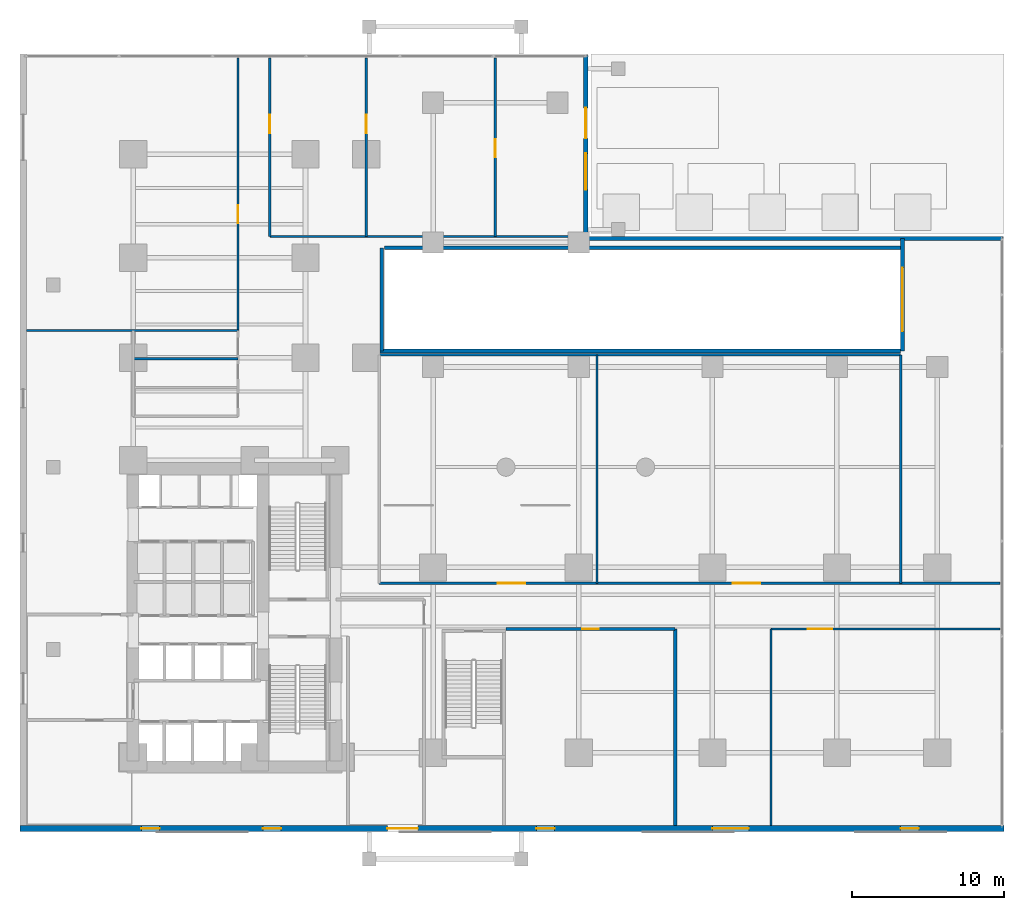
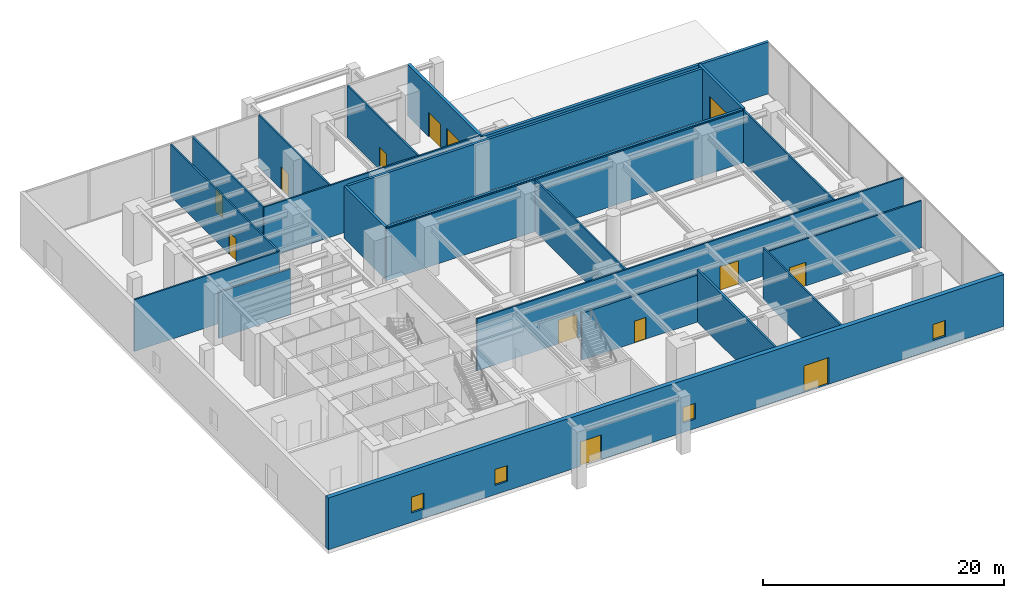
# One storey, part 13 of 17: 22 walls, 13 doors, 4 windows, 17 openings.
"""IFC4 building model written with IfcOpenShell, lengths in metres."""

from ifc_helpers import new_model, si_unit, direction, frame, frame_2d, origin, place, context, subcontext, project, spatial, rectangle, extrude, material, layer, layer_set, type_object, element, fill, save


model = new_model("IFC4")

# Units and contexts
model_context = context("Model", 3, precision=1e-05, world=origin(), true_north=direction((0.0, 1.0)))
body_context = subcontext(model_context, "Body", "Model", "MODEL_VIEW")
ifc_project = project(units=[si_unit("LENGTHUNIT", "METRE"), si_unit("AREAUNIT", "SQUARE_METRE"), si_unit("VOLUMEUNIT", "CUBIC_METRE"), si_unit("PLANEANGLEUNIT", "RADIAN"), si_unit("MASSUNIT", "GRAM", prefix="KILO")], contexts=[model_context])

# Site, building, storey
site_placement = place(None, origin())
site = spatial("IfcSite", under=ifc_project, at=site_placement, CompositionType="ELEMENT")
building_placement = place(site_placement, origin())
building = spatial("IfcBuilding", under=site, at=building_placement, Name="Kolvaren Waterfront Exchange", CompositionType="ELEMENT")
storey_placement = place(building_placement, origin())
storey = spatial("IfcBuildingStorey", under=building, at=storey_placement, Name="L01", CompositionType="ELEMENT", Elevation=0.0)

# Wall, openings, doors, windows
ifc_material_1 = material(Name="Precast concrete C40/50", Category="concrete")
ifc_layer_1 = layer(ifc_material_1, 0.419921875, Name="Precast concrete C40/50")
ifc_layer_set_1 = layer_set([ifc_layer_1], Name="Precast concrete C40/50")
wall_type_1 = type_object("IfcWallType", Name="ARC-EXT-GRANITE-420", PredefinedType="SOLIDWALL", material=ifc_layer_set_1)
wall_1_placement = place(storey_placement, frame((0.0, 0.2099609375, 0.0), z_axis=(0.0, 0.0, 1.0), x_axis=(1.0, 0.0, 0.0)))
wall_1 = element("IfcWall", 1, at=wall_1_placement, inside=storey, type_object=wall_type_1, Name="L01 south granite precast facade wall", PredefinedType="SOLIDWALL", context=body_context, shape_type="SweptSolid", body=[
    extrude(rectangle(XDim=64.800048828125, YDim=0.419921875, at=frame_2d((32.39990234375, 0.0))), origin(), (0.0, 0.0, 1.0), 5.260009765625),
])
opening_1_placement = place(wall_1_placement, frame((8.0, 0.0, 0.949951171875)))
opening_1 = element("IfcOpeningElement", 2, at=opening_1_placement, cuts=wall_1, Name="Opening W01", PredefinedType="OPENING", context=body_context, shape_type="SweptSolid", body=[
    extrude(rectangle(XDim=1.199951171875, YDim=1.60009765625, at=frame_2d((0.60009765625, 0.800048828125))), frame((0.0, 0.219970703125, 0.0), z_axis=(0.0, -1.0, 0.0), x_axis=(1.0, 0.0, 0.0)), (0.0, 0.0, 1.0), 0.43994140625),
])
opening_2_placement = place(wall_1_placement, frame((16.0, 0.0, 0.949951171875)))
opening_2 = element("IfcOpeningElement", 3, at=opening_2_placement, cuts=wall_1, Name="Opening W01", PredefinedType="OPENING", context=body_context, shape_type="SweptSolid", body=[
    extrude(rectangle(XDim=1.199951171875, YDim=1.60009765625, at=frame_2d((0.60009765625, 0.800048828125))), frame((0.0, 0.219970703125, 0.0), z_axis=(0.0, -1.0, 0.0), x_axis=(1.0, 0.0, 0.0)), (0.0, 0.0, 1.0), 0.43994140625),
])
opening_3_placement = place(wall_1_placement, frame((34.0, 0.0, 0.949951171875)))
opening_3 = element("IfcOpeningElement", 4, at=opening_3_placement, cuts=wall_1, Name="Opening W01", PredefinedType="OPENING", context=body_context, shape_type="SweptSolid", body=[
    extrude(rectangle(XDim=1.199951171875, YDim=1.60009765625, at=frame_2d((0.60009765625, 0.800048828125))), frame((0.0, 0.219970703125, 0.0), z_axis=(0.0, -1.0, 0.0), x_axis=(1.0, 0.0, 0.0)), (0.0, 0.0, 1.0), 0.43994140625),
])
opening_4_placement = place(wall_1_placement, frame((58.0, 0.0, 0.949951171875)))
opening_4 = element("IfcOpeningElement", 5, at=opening_4_placement, cuts=wall_1, Name="Opening W01", PredefinedType="OPENING", context=body_context, shape_type="SweptSolid", body=[
    extrude(rectangle(XDim=1.199951171875, YDim=1.60009765625, at=frame_2d((0.60009765625, 0.800048828125))), frame((0.0, 0.219970703125, 0.0), z_axis=(0.0, -1.0, 0.0), x_axis=(1.0, 0.0, 0.0)), (0.0, 0.0, 1.0), 0.43994140625),
])
opening_5_placement = place(wall_1_placement, frame((24.199951171875, 0.0, 0.0)))
opening_5 = element("IfcOpeningElement", 6, at=opening_5_placement, cuts=wall_1, Name="Opening ED1", PredefinedType="OPENING", context=body_context, shape_type="SweptSolid", body=[
    extrude(rectangle(XDim=2.0, YDim=2.5, at=frame_2d((1.0, 1.25))), frame((0.0, 0.219970703125, 0.0), z_axis=(0.0, -1.0, 0.0), x_axis=(1.0, 0.0, 0.0)), (0.0, 0.0, 1.0), 0.43994140625),
])
opening_6_placement = place(wall_1_placement, frame((45.60009765625, 0.0, 0.0)))
opening_6 = element("IfcOpeningElement", 7, at=opening_6_placement, cuts=wall_1, Name="Opening ED2", PredefinedType="OPENING", context=body_context, shape_type="SweptSolid", body=[
    extrude(rectangle(XDim=2.39990234375, YDim=2.699951171875, at=frame_2d((1.199951171875, 1.35009765625))), frame((0.0, 0.219970703125, 0.0), z_axis=(0.0, -1.0, 0.0), x_axis=(1.0, 0.0, 0.0)), (0.0, 0.0, 1.0), 0.43994140625),
])
ifc_material_2 = material(Name="Anodised bronze aluminium and glass", Category="aluminium")
door_type_1 = type_object("IfcDoorType", Name="ARC-ED-2000", OperationType="NOTDEFINED", PredefinedType="DOOR", material=ifc_material_2)
door_1_placement = place(opening_5_placement, frame((2.0, 0.0, 0.0), z_axis=(0.0, 0.0, 1.0), x_axis=(-1.0, 0.0, 0.0)))
door_1 = element("IfcDoor", 8, at=door_1_placement, inside=storey, type_object=door_type_1, Name="L01 protected exit corridor south final exit door ED1", OperationType="SINGLE_SWING_LEFT", OverallHeight=2.5, OverallWidth=2.0, PredefinedType="DOOR", context=body_context, shape_type="SweptSolid", body=[
    extrude(rectangle(XDim=2.0, YDim=2.5, at=frame_2d((1.0, 1.25))), frame((0.0, 0.02490234375, 0.0), z_axis=(0.0, -1.0, 0.0), x_axis=(1.0, 0.0, 0.0)), (0.0, 0.0, 1.0), 0.050048828125),
])
fill(opening_5, door_1)
door_type_2 = type_object("IfcDoorType", Name="ARC-ED-2400", OperationType="NOTDEFINED", PredefinedType="DOOR", material=ifc_material_2)
door_2_placement = place(opening_6_placement, frame((2.39990234375, 0.0, 0.0), z_axis=(0.0, 0.0, 1.0), x_axis=(-1.0, 0.0, 0.0)))
door_2 = element("IfcDoor", 9, at=door_2_placement, inside=storey, type_object=door_type_2, Name="L01 concourse final exit discharge and entrance door ED2", OperationType="SINGLE_SWING_RIGHT", OverallHeight=2.699951171875, OverallWidth=2.39990234375, PredefinedType="DOOR", context=body_context, shape_type="SweptSolid", body=[
    extrude(rectangle(XDim=2.39990234375, YDim=2.699951171875, at=frame_2d((1.199951171875, 1.35009765625))), frame((0.0, 0.02490234375, 0.0), z_axis=(0.0, -1.0, 0.0), x_axis=(1.0, 0.0, 0.0)), (0.0, 0.0, 1.0), 0.050048828125),
])
fill(opening_6, door_2)
ifc_material_3 = material(Name="Bronze solar control vision glass", Category="aluminium")
window_type = type_object("IfcWindowType", Name="ARC-WIN-1200x1600", PartitioningType="SINGLE_PANEL", PredefinedType="WINDOW", material=ifc_material_3)
window_1_placement = place(opening_1_placement, origin())
window_1 = element("IfcWindow", 10, at=window_1_placement, inside=storey, type_object=window_type, Name="L01 south modular window 1", OverallHeight=1.60009765625, OverallWidth=1.199951171875, PartitioningType="SINGLE_PANEL", PredefinedType="WINDOW", context=body_context, shape_type="SweptSolid", body=[
    extrude(rectangle(XDim=1.199951171875, YDim=1.60009765625, at=frame_2d((0.60009765625, 0.800048828125))), frame((0.0, 0.030029296875, 0.0), z_axis=(0.0, -1.0, 0.0), x_axis=(1.0, 0.0, 0.0)), (0.0, 0.0, 1.0), 0.06005859375),
])
fill(opening_1, window_1)
window_2_placement = place(opening_2_placement, origin())
window_2 = element("IfcWindow", 11, at=window_2_placement, inside=storey, type_object=window_type, Name="L01 south modular window 2", OverallHeight=1.60009765625, OverallWidth=1.199951171875, PartitioningType="SINGLE_PANEL", PredefinedType="WINDOW", context=body_context, shape_type="SweptSolid", body=[
    extrude(rectangle(XDim=1.199951171875, YDim=1.60009765625, at=frame_2d((0.60009765625, 0.800048828125))), frame((0.0, 0.030029296875, 0.0), z_axis=(0.0, -1.0, 0.0), x_axis=(1.0, 0.0, 0.0)), (0.0, 0.0, 1.0), 0.06005859375),
])
fill(opening_2, window_2)
window_3_placement = place(opening_3_placement, origin())
window_3 = element("IfcWindow", 12, at=window_3_placement, inside=storey, type_object=window_type, Name="L01 south modular window 4", OverallHeight=1.60009765625, OverallWidth=1.199951171875, PartitioningType="SINGLE_PANEL", PredefinedType="WINDOW", context=body_context, shape_type="SweptSolid", body=[
    extrude(rectangle(XDim=1.199951171875, YDim=1.60009765625, at=frame_2d((0.60009765625, 0.800048828125))), frame((0.0, 0.030029296875, 0.0), z_axis=(0.0, -1.0, 0.0), x_axis=(1.0, 0.0, 0.0)), (0.0, 0.0, 1.0), 0.06005859375),
])
fill(opening_3, window_3)
window_4_placement = place(opening_4_placement, origin())
window_4 = element("IfcWindow", 13, at=window_4_placement, inside=storey, type_object=window_type, Name="L01 south modular window 6", OverallHeight=1.60009765625, OverallWidth=1.199951171875, PartitioningType="SINGLE_PANEL", PredefinedType="WINDOW", context=body_context, shape_type="SweptSolid", body=[
    extrude(rectangle(XDim=1.199951171875, YDim=1.60009765625, at=frame_2d((0.60009765625, 0.800048828125))), frame((0.0, 0.030029296875, 0.0), z_axis=(0.0, -1.0, 0.0), x_axis=(1.0, 0.0, 0.0)), (0.0, 0.0, 1.0), 0.06005859375),
])
fill(opening_4, window_4)

# Wall, openings, doors
ifc_layer_2 = layer(ifc_material_1, 0.280029296875, Name="Precast concrete C40/50")
ifc_layer_set_2 = layer_set([ifc_layer_2], Name="Precast concrete C40/50")
wall_type_2 = type_object("IfcWallType", Name="ARC-EXT-TERR-280", PredefinedType="SOLIDWALL", material=ifc_layer_set_2)
wall_2_placement = place(storey_placement, frame((37.260009765625, 39.06005859375, 0.0), z_axis=(0.0, 0.0, 1.0), x_axis=(0.0, 1.0, 0.0)))
wall_2 = element("IfcWall", 14, at=wall_2_placement, inside=storey, type_object=wall_type_2, Name="L01 waterfront promenade entrance wall", PredefinedType="SOLIDWALL", context=body_context, shape_type="SweptSolid", body=[
    extrude(rectangle(XDim=12.08984375, YDim=0.280029296875, at=frame_2d((6.044921875, 0.0))), origin(), (0.0, 0.0, 1.0), 5.260009765625),
])
opening_7_placement = place(wall_2_placement, frame((3.199951171875, 0.0, 0.0)))
opening_7 = element("IfcOpeningElement", 15, at=opening_7_placement, cuts=wall_2, Name="Opening ED2", PredefinedType="OPENING", context=body_context, shape_type="SweptSolid", body=[
    extrude(rectangle(XDim=2.39990234375, YDim=2.699951171875, at=frame_2d((1.199951171875, 1.35009765625))), frame((0.0, 0.14990234375, 0.0), z_axis=(0.0, -1.0, 0.0), x_axis=(1.0, 0.0, 0.0)), (0.0, 0.0, 1.0), 0.300048828125),
])
opening_8_placement = place(wall_2_placement, frame((6.60009765625, 0.0, 0.0)))
opening_8 = element("IfcOpeningElement", 16, at=opening_8_placement, cuts=wall_2, Name="Opening ED1", PredefinedType="OPENING", context=body_context, shape_type="SweptSolid", body=[
    extrude(rectangle(XDim=2.0, YDim=2.5, at=frame_2d((1.0, 1.25))), frame((0.0, 0.14990234375, 0.0), z_axis=(0.0, -1.0, 0.0), x_axis=(1.0, 0.0, 0.0)), (0.0, 0.0, 1.0), 0.300048828125),
])
door_3_placement = place(opening_8_placement, frame((2.0, 0.0, 0.0), z_axis=(0.0, 0.0, 1.0), x_axis=(-1.0, 0.0, 0.0)))
door_3 = element("IfcDoor", 17, at=door_3_placement, inside=storey, type_object=door_type_1, Name="L01 Waterfront Quay gallery final exit door ED1", OperationType="SINGLE_SWING_RIGHT", OverallHeight=2.5, OverallWidth=2.0, PredefinedType="DOOR", context=body_context, shape_type="SweptSolid", body=[
    extrude(rectangle(XDim=2.0, YDim=2.5, at=frame_2d((1.0, 1.25))), frame((0.0, 0.02490234375, 0.0), z_axis=(0.0, -1.0, 0.0), x_axis=(1.0, 0.0, 0.0)), (0.0, 0.0, 1.0), 0.050048828125),
])
fill(opening_8, door_3)
door_4_placement = place(opening_7_placement, frame((2.39990234375, 0.0, 0.0), z_axis=(0.0, 0.0, 1.0), x_axis=(-1.0, 0.0, 0.0)))
door_4 = element("IfcDoor", 18, at=door_4_placement, inside=storey, type_object=door_type_2, Name="L01 Red River Waterfront Promenade final exit and entrance door ED2", OperationType="SINGLE_SWING_LEFT", OverallHeight=2.699951171875, OverallWidth=2.39990234375, PredefinedType="DOOR", context=body_context, shape_type="SweptSolid", body=[
    extrude(rectangle(XDim=2.39990234375, YDim=2.699951171875, at=frame_2d((1.199951171875, 1.35009765625))), frame((0.0, 0.02490234375, 0.0), z_axis=(0.0, -1.0, 0.0), x_axis=(1.0, 0.0, 0.0)), (0.0, 0.0, 1.0), 0.050048828125),
])
fill(opening_7, door_4)

# Wall
wall_3_placement = place(storey_placement, frame((37.1201171875, 39.06005859375, 0.0), z_axis=(0.0, 0.0, 1.0), x_axis=(1.0, 0.0, 0.0)))
element("IfcWall", 19, at=wall_3_placement, inside=storey, type_object=wall_type_2, Name="L01 waterfront south return facade wall", PredefinedType="SOLIDWALL", context=body_context, shape_type="SweptSolid", body=[
    extrude(rectangle(XDim=27.6298828125, YDim=0.280029296875, at=frame_2d((13.81494140625, 0.0))), origin(), (0.0, 0.0, 1.0), 5.260009765625),
])

# Wall, opening, door
ifc_layer_3 = layer(ifc_material_1, 0.199951171875, Name="Precast concrete C40/50")
ifc_layer_set_3 = layer_set([ifc_layer_3], Name="Precast concrete C40/50")
wall_type_3 = type_object("IfcWallType", Name="ARC-FIRE-200", PredefinedType="PARTITIONING", material=ifc_layer_set_3)
wall_4_placement = place(storey_placement, frame((32.0, 13.35009765625, 0.0), z_axis=(0.0, 0.0, 1.0), x_axis=(1.0, 0.0, 0.0)))
wall_4 = element("IfcWall", 20, at=wall_4_placement, inside=storey, type_object=wall_type_3, Name="L01 interior wall PW-L01-FCR-N", PredefinedType="PARTITIONING", context=body_context, shape_type="SweptSolid", body=[
    extrude(rectangle(XDim=11.14990234375, YDim=0.199951171875, at=frame_2d((5.574951171875, 0.0))), origin(), (0.0, 0.0, 1.0), 4.760009765625),
])
opening_9_placement = place(wall_4_placement, frame((5.0205078125, 0.0, 0.0)))
opening_9 = element("IfcOpeningElement", 21, at=opening_9_placement, cuts=wall_4, Name="Opening FD2", PredefinedType="OPENING", context=body_context, shape_type="SweptSolid", body=[
    extrude(rectangle(XDim=1.10009765625, YDim=2.199951171875, at=frame_2d((0.550048828125, 1.10009765625))), frame((0.0, 0.10986328125, 0.0), z_axis=(0.0, -1.0, 0.0), x_axis=(1.0, 0.0, 0.0)), (0.0, 0.0, 1.0), 0.219970703125),
])
ifc_material_4 = material(Name="Pressed steel smoke-seal fire door", Category="steel")
door_type_3 = type_object("IfcDoorType", Name="ARC-FD-1100", OperationType="NOTDEFINED", PredefinedType="DOOR", material=ifc_material_4)
door_5_placement = place(opening_9_placement, origin())
door_5 = element("IfcDoor", 22, at=door_5_placement, inside=storey, type_object=door_type_3, Name="L01 door DR-L01-FCR-D (FD2)", OperationType="SINGLE_SWING_LEFT", OverallHeight=2.199951171875, OverallWidth=1.10009765625, PredefinedType="DOOR", context=body_context, shape_type="SweptSolid", body=[
    extrude(rectangle(XDim=1.10009765625, YDim=2.199951171875, at=frame_2d((0.550048828125, 1.10009765625))), frame((0.0, 0.02490234375, 0.0), z_axis=(0.0, -1.0, 0.0), x_axis=(1.0, 0.0, 0.0)), (0.0, 0.0, 1.0), 0.050048828125),
])
fill(opening_9, door_5)

# Wall
wall_5_placement = place(storey_placement, frame((43.14990234375, 0.419921875, 0.0), z_axis=(0.0, 0.0, 1.0), x_axis=(0.0, 1.0, 0.0)))
element("IfcWall", 23, at=wall_5_placement, inside=storey, type_object=wall_type_3, Name="L01 interior wall PW-L01-FCR-E", PredefinedType="PARTITIONING", context=body_context, shape_type="SweptSolid", body=[
    extrude(rectangle(XDim=12.93017578125, YDim=0.199951171875, at=frame_2d((6.465087890625, 0.0))), origin(), (0.0, 0.0, 1.0), 5.260009765625),
])

# Wall, openings, doors
ifc_material_5 = material(Name="Gypsum fireboard steel stud", Category="steel")
ifc_layer_4 = layer(ifc_material_5, 0.14990234375, Name="Gypsum fireboard steel stud")
ifc_layer_set_4 = layer_set([ifc_layer_4], Name="Gypsum fireboard steel stud")
wall_type_4 = type_object("IfcWallType", Name="ARC-PART-150", PredefinedType="PARTITIONING", material=ifc_layer_set_4)
wall_6_placement = place(storey_placement, frame((23.64990234375, 16.35009765625, 0.0), z_axis=(0.0, 0.0, 1.0), x_axis=(1.0, 0.0, 0.0)))
wall_6 = element("IfcWall", 24, at=wall_6_placement, inside=storey, type_object=wall_type_4, Name="L01 interior wall PW-L01-POD-HALL-S", PredefinedType="PARTITIONING", context=body_context, shape_type="SweptSolid", body=[
    extrude(rectangle(XDim=40.900146484375, YDim=0.14990234375, at=frame_2d((20.4501953125, 0.0))), origin(), (0.0, 0.0, 1.0), 5.260009765625),
])
opening_10_placement = place(wall_6_placement, frame((7.820556640625, 0.0, 0.0)))
opening_10 = element("IfcOpeningElement", 25, at=opening_10_placement, cuts=wall_6, Name="Opening D08", PredefinedType="OPENING", context=body_context, shape_type="SweptSolid", body=[
    extrude(rectangle(XDim=1.800048828125, YDim=2.39990234375, at=frame_2d((0.89990234375, 1.199951171875))), frame((0.0, 0.0849609375, 0.0), z_axis=(0.0, -1.0, 0.0), x_axis=(1.0, 0.0, 0.0)), (0.0, 0.0, 1.0), 0.169921875),
])
opening_11_placement = place(wall_6_placement, frame((23.29443359375, 0.0, 0.0)))
opening_11 = element("IfcOpeningElement", 26, at=opening_11_placement, cuts=wall_6, Name="Opening D08", PredefinedType="OPENING", context=body_context, shape_type="SweptSolid", body=[
    extrude(rectangle(XDim=1.800048828125, YDim=2.39990234375, at=frame_2d((0.89990234375, 1.199951171875))), frame((0.0, 0.0849609375, 0.0), z_axis=(0.0, -1.0, 0.0), x_axis=(1.0, 0.0, 0.0)), (0.0, 0.0, 1.0), 0.169921875),
])
ifc_material_6 = material(Name="Anodised bronze double leaf", Category="aluminium")
door_type_4 = type_object("IfcDoorType", Name="ARC-DR-1800", OperationType="NOTDEFINED", PredefinedType="DOOR", material=ifc_material_6)
door_6_placement = place(opening_10_placement, origin())
door_6 = element("IfcDoor", 27, at=door_6_placement, inside=storey, type_object=door_type_4, Name="L01 door DR-L01-ENT-D (D08)", OperationType="SINGLE_SWING_LEFT", OverallHeight=2.39990234375, OverallWidth=1.800048828125, PredefinedType="DOOR", context=body_context, shape_type="SweptSolid", body=[
    extrude(rectangle(XDim=1.800048828125, YDim=2.39990234375, at=frame_2d((0.89990234375, 1.199951171875))), frame((0.0, 0.02490234375, 0.0), z_axis=(0.0, -1.0, 0.0), x_axis=(1.0, 0.0, 0.0)), (0.0, 0.0, 1.0), 0.050048828125),
])
fill(opening_10, door_6)
door_7_placement = place(opening_11_placement, origin())
door_7 = element("IfcDoor", 28, at=door_7_placement, inside=storey, type_object=door_type_4, Name="L01 door DR-L01-GAL-D (D08)", OperationType="SINGLE_SWING_RIGHT", OverallHeight=2.39990234375, OverallWidth=1.800048828125, PredefinedType="DOOR", context=body_context, shape_type="SweptSolid", body=[
    extrude(rectangle(XDim=1.800048828125, YDim=2.39990234375, at=frame_2d((0.89990234375, 1.199951171875))), frame((0.0, 0.02490234375, 0.0), z_axis=(0.0, -1.0, 0.0), x_axis=(1.0, 0.0, 0.0)), (0.0, 0.0, 1.0), 0.050048828125),
])
fill(opening_11, door_7)

# Wall
wall_7_placement = place(storey_placement, frame((38.0, 16.35009765625, 0.0), z_axis=(0.0, 0.0, 1.0), x_axis=(0.0, 1.0, 0.0)))
element("IfcWall", 29, at=wall_7_placement, inside=storey, type_object=wall_type_4, Name="L01 interior wall PW-L01-POD-HALL-MID", PredefinedType="PARTITIONING", context=body_context, shape_type="SweptSolid", body=[
    extrude(rectangle(XDim=15.0498046875, YDim=0.14990234375, at=frame_2d((7.52490234375, 0.0))), origin(), (0.0, 0.0, 1.0), 5.260009765625),
])

# Wall, opening, door
wall_8_placement = place(storey_placement, frame((49.449951171875, 13.35009765625, 0.0), z_axis=(0.0, 0.0, 1.0), x_axis=(1.0, 0.0, 0.0)))
wall_8 = element("IfcWall", 30, at=wall_8_placement, inside=storey, type_object=wall_type_4, Name="L01 interior wall PW-L01-SEC-N", PredefinedType="PARTITIONING", context=body_context, shape_type="SweptSolid", body=[
    extrude(rectangle(XDim=15.10009765625, YDim=0.14990234375, at=frame_2d((7.550048828125, 0.0))), origin(), (0.0, 0.0, 1.0), 4.760009765625),
])
opening_12_placement = place(wall_8_placement, frame((2.42919921875, 0.0, 0.0)))
opening_12 = element("IfcOpeningElement", 31, at=opening_12_placement, cuts=wall_8, Name="Opening D07", PredefinedType="OPENING", context=body_context, shape_type="SweptSolid", body=[
    extrude(rectangle(XDim=1.60009765625, YDim=2.39990234375, at=frame_2d((0.800048828125, 1.199951171875))), frame((0.0, 0.0849609375, 0.0), z_axis=(0.0, -1.0, 0.0), x_axis=(1.0, 0.0, 0.0)), (0.0, 0.0, 1.0), 0.169921875),
])
door_type_5 = type_object("IfcDoorType", Name="ARC-DR-1600", OperationType="NOTDEFINED", PredefinedType="DOOR", material=ifc_material_6)
door_8_placement = place(opening_12_placement, origin())
door_8 = element("IfcDoor", 32, at=door_8_placement, inside=storey, type_object=door_type_5, Name="L01 door DR-L01-SEC-D (D07)", OperationType="SINGLE_SWING_RIGHT", OverallHeight=2.39990234375, OverallWidth=1.60009765625, PredefinedType="DOOR", context=body_context, shape_type="SweptSolid", body=[
    extrude(rectangle(XDim=1.60009765625, YDim=2.39990234375, at=frame_2d((0.800048828125, 1.199951171875))), frame((0.0, 0.02490234375, 0.0), z_axis=(0.0, -1.0, 0.0), x_axis=(1.0, 0.0, 0.0)), (0.0, 0.0, 1.0), 0.050048828125),
])
fill(opening_12, door_8)

# Walls
wall_9_placement = place(storey_placement, frame((49.449951171875, 0.419921875, 0.0), z_axis=(0.0, 0.0, 1.0), x_axis=(0.0, 1.0, 0.0)))
element("IfcWall", 33, at=wall_9_placement, inside=storey, type_object=wall_type_4, Name="L01 interior wall PW-L01-SEC-W", PredefinedType="PARTITIONING", context=body_context, shape_type="SweptSolid", body=[
    extrude(rectangle(XDim=12.93017578125, YDim=0.14990234375, at=frame_2d((6.465087890625, 0.0))), origin(), (0.0, 0.0, 1.0), 5.260009765625),
])
wall_10_placement = place(storey_placement, frame((23.64990234375, 31.39990234375, 0.0), z_axis=(0.0, 0.0, 1.0), x_axis=(1.0, 0.0, 0.0)))
element("IfcWall", 34, at=wall_10_placement, inside=storey, type_object=wall_type_4, Name="L01 interior wall PW-L01-ENT-N", PredefinedType="PARTITIONING", context=body_context, shape_type="SweptSolid", body=[
    extrude(rectangle(XDim=34.35009765625, YDim=0.14990234375, at=frame_2d((17.175048828125, 0.0))), origin(), (0.0, 0.0, 1.0), 5.260009765625),
])
wall_11_placement = place(storey_placement, frame((58.0, 16.35009765625, 0.0), z_axis=(0.0, 0.0, 1.0), x_axis=(0.0, 1.0, 0.0)))
element("IfcWall", 35, at=wall_11_placement, inside=storey, type_object=wall_type_4, Name="L01 interior wall PW-L01-ENT-E", PredefinedType="PARTITIONING", context=body_context, shape_type="SweptSolid", body=[
    extrude(rectangle(XDim=15.0498046875, YDim=0.14990234375, at=frame_2d((7.52490234375, 0.0))), origin(), (0.0, 0.0, 1.0), 5.260009765625),
])

# Wall, opening, door
wall_12_placement = place(storey_placement, frame((14.35009765625, 33.0, 0.0), z_axis=(0.0, 0.0, 1.0), x_axis=(0.0, 1.0, 0.0)))
wall_12 = element("IfcWall", 36, at=wall_12_placement, inside=storey, type_object=wall_type_4, Name="L01 interior wall PW-L01-NW-E", PredefinedType="PARTITIONING", context=body_context, shape_type="SweptSolid", body=[
    extrude(rectangle(XDim=17.949951171875, YDim=0.14990234375, at=frame_2d((8.97509765625, 0.0))), origin(), (0.0, 0.0, 1.0), 5.260009765625),
])
opening_13_placement = place(wall_12_placement, frame((7.050048828125, 0.0, 0.0)))
opening_13 = element("IfcOpeningElement", 37, at=opening_13_placement, cuts=wall_12, Name="Opening D05", PredefinedType="OPENING", context=body_context, shape_type="SweptSolid", body=[
    extrude(rectangle(XDim=1.199951171875, YDim=2.25, at=frame_2d((0.60009765625, 1.125))), frame((0.0, 0.0849609375, 0.0), z_axis=(0.0, -1.0, 0.0), x_axis=(1.0, 0.0, 0.0)), (0.0, 0.0, 1.0), 0.169921875),
])
ifc_material_7 = material(Name="Anodised bronze framed glass", Category="aluminium")
door_type_6 = type_object("IfcDoorType", Name="ARC-DR-1200", OperationType="NOTDEFINED", PredefinedType="DOOR", material=ifc_material_7)
door_9_placement = place(opening_13_placement, origin())
door_9 = element("IfcDoor", 38, at=door_9_placement, inside=storey, type_object=door_type_6, Name="L01 door DR-L01-PRESS-D (D05)", OperationType="SINGLE_SWING_LEFT", OverallHeight=2.25, OverallWidth=1.199951171875, PredefinedType="DOOR", context=body_context, shape_type="SweptSolid", body=[
    extrude(rectangle(XDim=1.199951171875, YDim=2.25, at=frame_2d((0.60009765625, 1.125))), frame((0.0, 0.02490234375, 0.0), z_axis=(0.0, -1.0, 0.0), x_axis=(1.0, 0.0, 0.0)), (0.0, 0.0, 1.0), 0.050048828125),
])
fill(opening_13, door_9)

# Wall
wall_13_placement = place(storey_placement, frame((16.449951171875, 39.199951171875, 0.0), z_axis=(0.0, 0.0, 1.0), x_axis=(1.0, 0.0, 0.0)))
element("IfcWall", 39, at=wall_13_placement, inside=storey, type_object=wall_type_4, Name="L01 interior wall PW-L01-QF-S", PredefinedType="PARTITIONING", context=body_context, shape_type="SweptSolid", body=[
    extrude(rectangle(XDim=20.81005859375, YDim=0.14990234375, at=frame_2d((10.405029296875, 0.0))), origin(), (0.0, 0.0, 1.0), 5.260009765625),
])

# Wall, opening, door
wall_14_placement = place(storey_placement, frame((16.449951171875, 39.199951171875, 0.0), z_axis=(0.0, 0.0, 1.0), x_axis=(0.0, 1.0, 0.0)))
wall_14 = element("IfcWall", 40, at=wall_14_placement, inside=storey, type_object=wall_type_4, Name="L01 interior wall PW-L01-QF-W0", PredefinedType="PARTITIONING", context=body_context, shape_type="SweptSolid", body=[
    extrude(rectangle(XDim=11.75, YDim=0.14990234375, at=frame_2d((5.875, 0.0))), origin(), (0.0, 0.0, 1.0), 5.260009765625),
])
opening_14_placement = place(wall_14_placement, frame((6.79736328125, 0.0, 0.0)))
opening_14 = element("IfcOpeningElement", 41, at=opening_14_placement, cuts=wall_14, Name="Opening D05", PredefinedType="OPENING", context=body_context, shape_type="SweptSolid", body=[
    extrude(rectangle(XDim=1.199951171875, YDim=2.25, at=frame_2d((0.60009765625, 1.125))), frame((0.0, 0.0849609375, 0.0), z_axis=(0.0, -1.0, 0.0), x_axis=(1.0, 0.0, 0.0)), (0.0, 0.0, 1.0), 0.169921875),
])
door_10_placement = place(opening_14_placement, origin())
door_10 = element("IfcDoor", 42, at=door_10_placement, inside=storey, type_object=door_type_6, Name="L01 door DR-L01-QOPS-D (D05)", OperationType="SINGLE_SWING_RIGHT", OverallHeight=2.25, OverallWidth=1.199951171875, PredefinedType="DOOR", context=body_context, shape_type="SweptSolid", body=[
    extrude(rectangle(XDim=1.199951171875, YDim=2.25, at=frame_2d((0.60009765625, 1.125))), frame((0.0, 0.02490234375, 0.0), z_axis=(0.0, -1.0, 0.0), x_axis=(1.0, 0.0, 0.0)), (0.0, 0.0, 1.0), 0.050048828125),
])
fill(opening_14, door_10)

wall_15_placement = place(storey_placement, frame((22.800048828125, 39.199951171875, 0.0), z_axis=(0.0, 0.0, 1.0), x_axis=(0.0, 1.0, 0.0)))
wall_15 = element("IfcWall", 43, at=wall_15_placement, inside=storey, type_object=wall_type_4, Name="L01 interior wall PW-L01-QF-M1", PredefinedType="PARTITIONING", context=body_context, shape_type="SweptSolid", body=[
    extrude(rectangle(XDim=11.75, YDim=0.14990234375, at=frame_2d((5.875, 0.0))), origin(), (0.0, 0.0, 1.0), 5.260009765625),
])
opening_15_placement = place(wall_15_placement, frame((6.800048828125, 0.0, 0.0)))
opening_15 = element("IfcOpeningElement", 44, at=opening_15_placement, cuts=wall_15, Name="Opening D05", PredefinedType="OPENING", context=body_context, shape_type="SweptSolid", body=[
    extrude(rectangle(XDim=1.199951171875, YDim=2.25, at=frame_2d((0.60009765625, 1.125))), frame((0.0, 0.0849609375, 0.0), z_axis=(0.0, -1.0, 0.0), x_axis=(1.0, 0.0, 0.0)), (0.0, 0.0, 1.0), 0.169921875),
])
door_11_placement = place(opening_15_placement, origin())
door_11 = element("IfcDoor", 45, at=door_11_placement, inside=storey, type_object=door_type_6, Name="L01 door DR-L01-QF-D (D05)", OperationType="SINGLE_SWING_LEFT", OverallHeight=2.25, OverallWidth=1.199951171875, PredefinedType="DOOR", context=body_context, shape_type="SweptSolid", body=[
    extrude(rectangle(XDim=1.199951171875, YDim=2.25, at=frame_2d((0.60009765625, 1.125))), frame((0.0, 0.02490234375, 0.0), z_axis=(0.0, -1.0, 0.0), x_axis=(1.0, 0.0, 0.0)), (0.0, 0.0, 1.0), 0.050048828125),
])
fill(opening_15, door_11)

wall_16_placement = place(storey_placement, frame((31.300048828125, 39.199951171875, 0.0), z_axis=(0.0, 0.0, 1.0), x_axis=(0.0, 1.0, 0.0)))
wall_16 = element("IfcWall", 46, at=wall_16_placement, inside=storey, type_object=wall_type_4, Name="L01 interior wall PW-L01-QF-M2", PredefinedType="PARTITIONING", context=body_context, shape_type="SweptSolid", body=[
    extrude(rectangle(XDim=11.75, YDim=0.14990234375, at=frame_2d((5.875, 0.0))), origin(), (0.0, 0.0, 1.0), 5.260009765625),
])
opening_16_placement = place(wall_16_placement, frame((5.199951171875, 0.0, 0.0)))
opening_16 = element("IfcOpeningElement", 47, at=opening_16_placement, cuts=wall_16, Name="Opening D05", PredefinedType="OPENING", context=body_context, shape_type="SweptSolid", body=[
    extrude(rectangle(XDim=1.199951171875, YDim=2.25, at=frame_2d((0.60009765625, 1.125))), frame((0.0, 0.0849609375, 0.0), z_axis=(0.0, -1.0, 0.0), x_axis=(1.0, 0.0, 0.0)), (0.0, 0.0, 1.0), 0.169921875),
])
door_12_placement = place(opening_16_placement, origin())
door_12 = element("IfcDoor", 48, at=door_12_placement, inside=storey, type_object=door_type_6, Name="L01 door DR-L01-QGAL-D (D05)", OperationType="SINGLE_SWING_RIGHT", OverallHeight=2.25, OverallWidth=1.199951171875, PredefinedType="DOOR", context=body_context, shape_type="SweptSolid", body=[
    extrude(rectangle(XDim=1.199951171875, YDim=2.25, at=frame_2d((0.60009765625, 1.125))), frame((0.0, 0.02490234375, 0.0), z_axis=(0.0, -1.0, 0.0), x_axis=(1.0, 0.0, 0.0)), (0.0, 0.0, 1.0), 0.050048828125),
])
fill(opening_16, door_12)

# Walls
ifc_material_8 = material(Name="Moisture-resistant gypsum stud")
ifc_layer_5 = layer(ifc_material_8, 0.14990234375, Name="Moisture-resistant gypsum stud")
ifc_layer_set_5 = layer_set([ifc_layer_5], Name="Moisture-resistant gypsum stud")
wall_type_5 = type_object("IfcWallType", Name="ARC-PLUMB-150", PredefinedType="PLUMBINGWALL", material=ifc_layer_set_5)
wall_17_placement = place(storey_placement, frame((7.449951171875, 31.14990234375, 0.0), z_axis=(0.0, 0.0, 1.0), x_axis=(1.0, 0.0, 0.0)))
element("IfcWall", 49, at=wall_17_placement, inside=storey, type_object=wall_type_5, Name="L01 interior wall PW-L01-WC-N2", PredefinedType="PLUMBINGWALL", context=body_context, shape_type="SweptSolid", body=[
    extrude(rectangle(XDim=6.900146484375, YDim=0.14990234375, at=frame_2d((3.4501953125, 0.0))), origin(), (0.0, 0.0, 1.0), 4.659912109375),
])
wall_18_placement = place(storey_placement, frame((0.419921875, 33.0, 0.0), z_axis=(0.0, 0.0, 1.0), x_axis=(1.0, 0.0, 0.0)))
element("IfcWall", 50, at=wall_18_placement, inside=storey, type_object=wall_type_5, Name="L01 interior wall PW-L01-WC-N3", PredefinedType="PLUMBINGWALL", context=body_context, shape_type="SweptSolid", body=[
    extrude(rectangle(XDim=13.93017578125, YDim=0.14990234375, at=frame_2d((6.965087890625, 0.0))), origin(), (0.0, 0.0, 1.0), 5.260009765625),
])
ifc_material_9 = material(Name="Concrete C40/50", Category="concrete")
ifc_layer_6 = layer(ifc_material_9, 0.25, Name="Concrete C40/50")
ifc_layer_set_6 = layer_set([ifc_layer_6], Name="Concrete C40/50")
wall_type_6 = type_object("IfcWallType", Name="STR-RWALL-250", PredefinedType="SOLIDWALL", material=ifc_layer_set_6)
wall_19_placement = place(storey_placement, frame((23.699951171875, 31.64990234375, 0.0), z_axis=(0.0, 0.0, 1.0), x_axis=(1.0, 0.0, 0.0)))
element("IfcWall", 51, at=wall_19_placement, inside=storey, type_object=wall_type_6, Name="L01 vehicle ramp south bearing wall", PredefinedType="SOLIDWALL", context=body_context, shape_type="SweptSolid", body=[
    extrude(rectangle(XDim=34.300048828125, YDim=0.25, at=frame_2d((17.14990234375, 0.0))), origin(), (0.0, 0.0, 1.0), 5.260009765625),
])
wall_20_placement = place(storey_placement, frame((24.0, 38.449951171875, 0.0), z_axis=(0.0, 0.0, 1.0), x_axis=(1.0, 0.0, 0.0)))
element("IfcWall", 52, at=wall_20_placement, inside=storey, type_object=wall_type_6, Name="L01 vehicle ramp north bearing wall", PredefinedType="SOLIDWALL", context=body_context, shape_type="SweptSolid", body=[
    extrude(rectangle(XDim=34.0, YDim=0.25, at=frame_2d((17.0, 0.0))), origin(), (0.0, 0.0, 1.0), 5.260009765625),
])
wall_21_placement = place(storey_placement, frame((23.820068359375, 31.64990234375, 0.0), z_axis=(0.0, 0.0, 1.0), x_axis=(0.0, 1.0, 0.0)))
element("IfcWall", 53, at=wall_21_placement, inside=storey, type_object=wall_type_6, Name="L01 vehicle ramp west enclosure wall", PredefinedType="SOLIDWALL", context=body_context, shape_type="SweptSolid", body=[
    extrude(rectangle(XDim=6.800048828125, YDim=0.25, at=frame_2d((3.39990234375, 0.0))), origin(), (0.0, 0.0, 1.0), 5.260009765625),
])

# Wall, opening, door
wall_22_placement = place(storey_placement, frame((58.1201171875, 31.64990234375, 0.0), z_axis=(0.0, 0.0, 1.0), x_axis=(0.0, 1.0, 0.0)))
wall_22 = element("IfcWall", 54, at=wall_22_placement, inside=storey, type_object=wall_type_6, Name="L01 vehicle ramp east portal wall", PredefinedType="SOLIDWALL", context=body_context, shape_type="SweptSolid", body=[
    extrude(rectangle(XDim=7.41015625, YDim=0.25, at=frame_2d((3.705078125, 0.0))), origin(), (0.0, 0.0, 1.0), 5.260009765625),
])
opening_17_placement = place(wall_22_placement, frame((1.300048828125, 0.0, 0.0)))
opening_17 = element("IfcOpeningElement", 55, at=opening_17_placement, cuts=wall_22, Name="Opening VD1", PredefinedType="OPENING", context=body_context, shape_type="SweptSolid", body=[
    extrude(rectangle(XDim=4.199951171875, YDim=3.199951171875, at=frame_2d((2.10009765625, 1.60009765625))), frame((0.0, 0.135009765625, 0.0), z_axis=(0.0, -1.0, 0.0), x_axis=(1.0, 0.0, 0.0)), (0.0, 0.0, 1.0), 0.27001953125),
])
ifc_material_10 = material(Name="Anodised aluminium security slats", Category="aluminium")
door_type_7 = type_object("IfcDoorType", Name="ARC-GATE-VD1", OperationType="ROLLINGUP", PredefinedType="GATE", material=ifc_material_10)
door_13_placement = place(opening_17_placement, origin())
door_13 = element("IfcDoor", 56, at=door_13_placement, inside=storey, type_object=door_type_7, Name="L01 basement car-park motorized roller shutter gate VD1", OperationType="ROLLINGUP", OverallHeight=3.199951171875, OverallWidth=4.199951171875, PredefinedType="GATE", context=body_context, shape_type="SweptSolid", body=[
    extrude(rectangle(XDim=4.199951171875, YDim=3.199951171875, at=frame_2d((2.10009765625, 1.60009765625))), frame((0.0, 0.02490234375, 0.0), z_axis=(0.0, -1.0, 0.0), x_axis=(1.0, 0.0, 0.0)), (0.0, 0.0, 1.0), 0.050048828125),
])
fill(opening_17, door_13)

save(model, "model.ifc")
